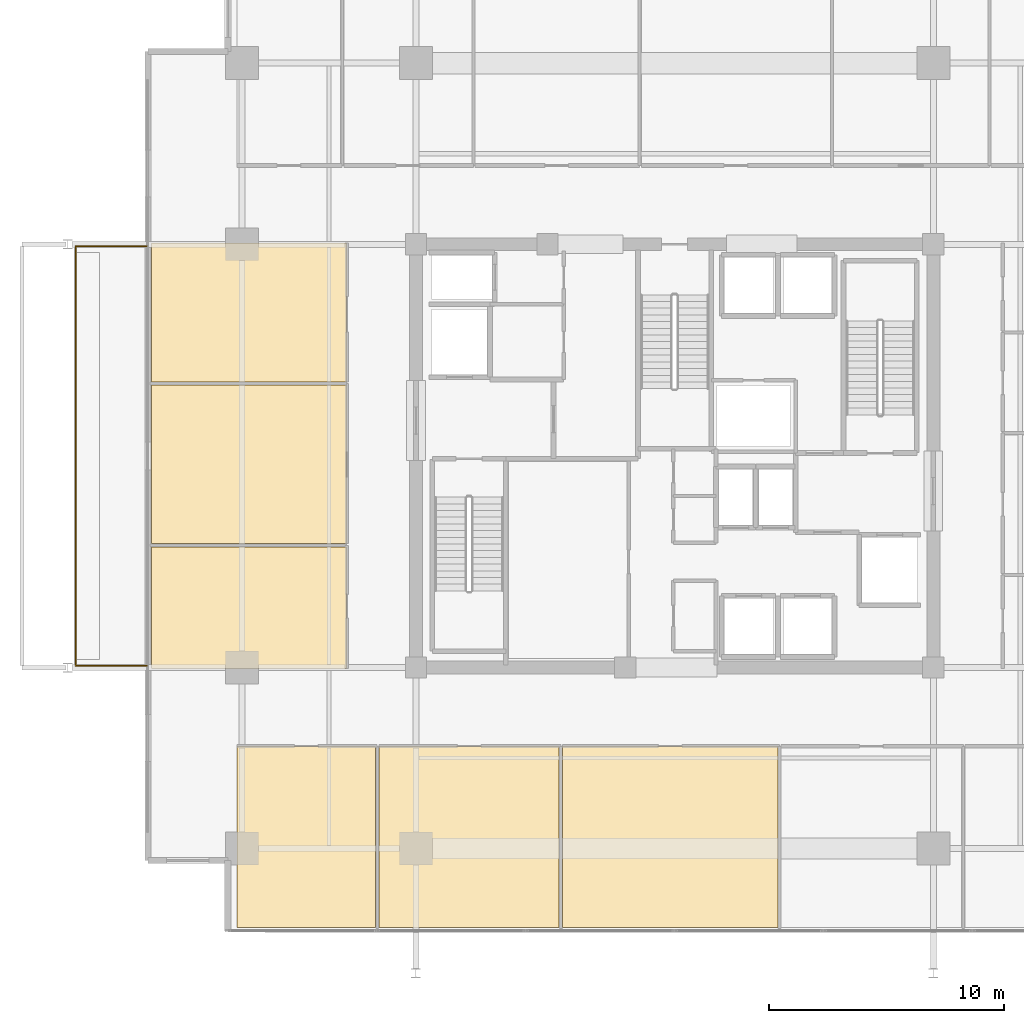
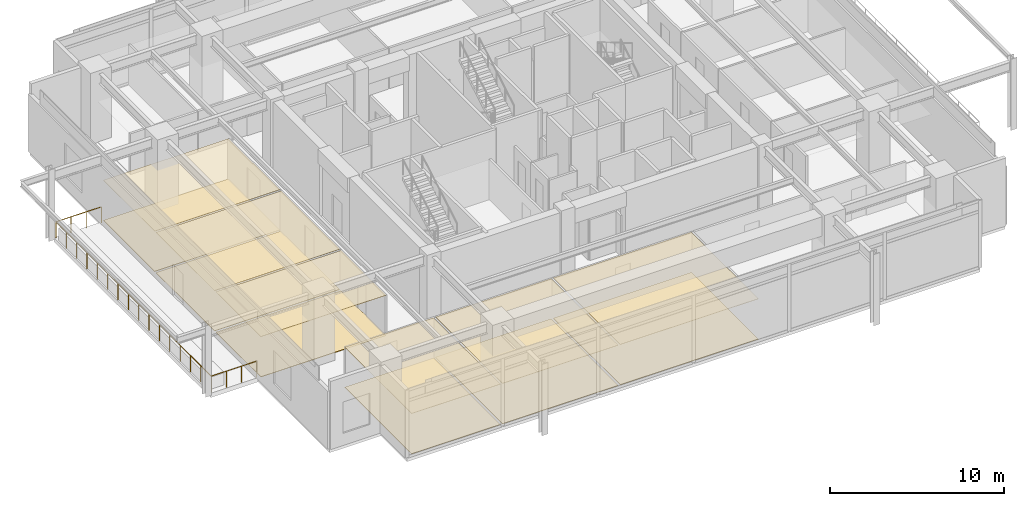
# One storey, part 16 of 19: 12 coverings, 1 railing.
"""IFC4 building model written with IfcOpenShell, lengths in metres."""

from ifc_helpers import new_model, si_unit, direction, frame, origin, origin_2d, place, context, subcontext, project, spatial, polyline, circle, outline, extrude, material, layer, layer_set, type_object, element, save


model = new_model("IFC4")

# Units and contexts
model_context = context("Model", 3, precision=1e-05, world=origin(), true_north=direction((0.0, 1.0)))
body_context = subcontext(model_context, "Body", "Model", "MODEL_VIEW")
ifc_project = project(units=[si_unit("LENGTHUNIT", "METRE"), si_unit("AREAUNIT", "SQUARE_METRE"), si_unit("VOLUMEUNIT", "CUBIC_METRE"), si_unit("PLANEANGLEUNIT", "RADIAN"), si_unit("MASSUNIT", "GRAM", prefix="KILO")], contexts=[model_context])

# Site, building, storey
site_placement = place(None, origin())
site = spatial("IfcSite", under=ifc_project, at=site_placement, CompositionType="ELEMENT")
building_placement = place(site_placement, origin())
building = spatial("IfcBuilding", under=site, at=building_placement, Name="Kovane Verandah Tower", CompositionType="ELEMENT")
storey_placement = place(building_placement, frame((0.0, 0.0, 200.199951171875)))
storey = spatial("IfcBuildingStorey", under=building, at=storey_placement, Name="L46", CompositionType="ELEMENT", Elevation=200.199951171875)

# Coverings
ifc_material_1 = material(Name="Perforated Acoustic Mineral-Fibre Ceiling Tile", Category="gypsum")
ifc_layer_1 = layer(ifc_material_1, 0.02490234375)
ifc_layer_set_1 = layer_set([ifc_layer_1], Name="Perforated Acoustic Mineral-Fibre Ceiling Tile")
covering_type_1 = type_object("IfcCoveringType", Name="CV-CEIL-25", PredefinedType="CEILING", material=ifc_layer_set_1)
covering_1_placement = place(storey_placement, frame((0.0, 0.0, 2.824951171875)))
element("IfcCovering", 1, at=covering_1_placement, inside=storey, type_object=covering_type_1, Name="L46 Meeting Room S1 Acoustic Ceiling", PredefinedType="CEILING", context=body_context, shape_type="SweptSolid", body=[
    extrude(outline(polyline([(21.39990234375, 7.449951171875), (27.281982421875, 7.449951171875), (27.281982421875, 15.14990234375), (21.39990234375, 15.14990234375), (21.39990234375, 7.449951171875)])), origin(), (0.0, 0.0, 1.0), 0.025146484375),
])
covering_2_placement = place(storey_placement, frame((0.0, 0.0, 2.824951171875)))
element("IfcCovering", 2, at=covering_2_placement, inside=storey, type_object=covering_type_1, Name="L46 Focus Studio S2 Acoustic Ceiling", PredefinedType="CEILING", context=body_context, shape_type="SweptSolid", body=[
    extrude(outline(polyline([(27.422119140625, 7.449951171875), (35.093994140625, 7.449951171875), (35.093994140625, 15.14990234375), (27.422119140625, 15.14990234375), (27.422119140625, 7.449951171875)])), origin(), (0.0, 0.0, 1.0), 0.025146484375),
])
covering_3_placement = place(storey_placement, frame((0.0, 0.0, 2.824951171875)))
element("IfcCovering", 3, at=covering_3_placement, inside=storey, type_object=covering_type_1, Name="L46 Breakout Pantry S3 Acoustic Ceiling", PredefinedType="CEILING", context=body_context, shape_type="SweptSolid", body=[
    extrude(outline(polyline([(35.23388671875, 7.449951171875), (44.39404296875, 7.449951171875), (44.39404296875, 15.14990234375), (35.23388671875, 15.14990234375), (35.23388671875, 7.449951171875)])), origin(), (0.0, 0.0, 1.0), 0.025146484375),
])
covering_4_placement = place(storey_placement, frame((0.0, 0.0, 2.824951171875)))
element("IfcCovering", 4, at=covering_4_placement, inside=storey, type_object=covering_type_1, Name="L46 Open Plan Office W1 Acoustic Ceiling", PredefinedType="CEILING", context=body_context, shape_type="SweptSolid", body=[
    extrude(outline(polyline([(17.75, 18.449951171875), (26.050048828125, 18.449951171875), (26.050048828125, 23.62890625), (17.75, 23.62890625), (17.75, 18.449951171875)])), origin(), (0.0, 0.0, 1.0), 0.025146484375),
])
covering_5_placement = place(storey_placement, frame((0.0, 0.0, 2.824951171875)))
element("IfcCovering", 5, at=covering_5_placement, inside=storey, type_object=covering_type_1, Name="L46 Executive Office W2 Acoustic Ceiling", PredefinedType="CEILING", context=body_context, shape_type="SweptSolid", body=[
    extrude(outline(polyline([(17.75, 23.76904296875), (26.050048828125, 23.76904296875), (26.050048828125, 30.507080078125), (17.75, 30.507080078125), (17.75, 23.76904296875)])), origin(), (0.0, 0.0, 1.0), 0.025146484375),
])
covering_6_placement = place(storey_placement, frame((0.0, 0.0, 2.824951171875)))
element("IfcCovering", 6, at=covering_6_placement, inside=storey, type_object=covering_type_1, Name="L46 Client Boardroom W3 Acoustic Ceiling", PredefinedType="CEILING", context=body_context, shape_type="SweptSolid", body=[
    extrude(outline(polyline([(17.75, 30.64697265625), (26.050048828125, 30.64697265625), (26.050048828125, 36.550048828125), (17.75, 36.550048828125), (17.75, 30.64697265625)])), origin(), (0.0, 0.0, 1.0), 0.025146484375),
])
ifc_material_2 = material(Name="Polished Terrazzo and Raised-Access Carpet Tile Finish", Category="concrete")
ifc_layer_2 = layer(ifc_material_2, 0.030029296875)
ifc_layer_set_2 = layer_set([ifc_layer_2], Name="Polished Terrazzo and Raised-Access Carpet Tile Finish")
covering_type_2 = type_object("IfcCoveringType", Name="CV-FLOR-30", PredefinedType="FLOORING", material=ifc_layer_set_2)
covering_7_placement = place(storey_placement, origin())
element("IfcCovering", 7, at=covering_7_placement, inside=storey, type_object=covering_type_2, Name="L46 Meeting Room S1 Floor Finish", PredefinedType="FLOORING", context=body_context, shape_type="SweptSolid", body=[
    extrude(outline(polyline([(21.39990234375, 7.449951171875), (27.281982421875, 7.449951171875), (27.281982421875, 15.14990234375), (21.39990234375, 15.14990234375), (21.39990234375, 7.449951171875)])), origin(), (0.0, 0.0, 1.0), 0.030029296875),
])
covering_8_placement = place(storey_placement, origin())
element("IfcCovering", 8, at=covering_8_placement, inside=storey, type_object=covering_type_2, Name="L46 Focus Studio S2 Floor Finish", PredefinedType="FLOORING", context=body_context, shape_type="SweptSolid", body=[
    extrude(outline(polyline([(27.422119140625, 7.449951171875), (35.093994140625, 7.449951171875), (35.093994140625, 15.14990234375), (27.422119140625, 15.14990234375), (27.422119140625, 7.449951171875)])), origin(), (0.0, 0.0, 1.0), 0.030029296875),
])
covering_9_placement = place(storey_placement, origin())
element("IfcCovering", 9, at=covering_9_placement, inside=storey, type_object=covering_type_2, Name="L46 Breakout Pantry S3 Floor Finish", PredefinedType="FLOORING", context=body_context, shape_type="SweptSolid", body=[
    extrude(outline(polyline([(35.23388671875, 7.449951171875), (44.39404296875, 7.449951171875), (44.39404296875, 15.14990234375), (35.23388671875, 15.14990234375), (35.23388671875, 7.449951171875)])), origin(), (0.0, 0.0, 1.0), 0.030029296875),
])
covering_10_placement = place(storey_placement, origin())
element("IfcCovering", 10, at=covering_10_placement, inside=storey, type_object=covering_type_2, Name="L46 Open Plan Office W1 Floor Finish", PredefinedType="FLOORING", context=body_context, shape_type="SweptSolid", body=[
    extrude(outline(polyline([(17.75, 18.449951171875), (26.050048828125, 18.449951171875), (26.050048828125, 23.62890625), (17.75, 23.62890625), (17.75, 18.449951171875)])), origin(), (0.0, 0.0, 1.0), 0.030029296875),
])
covering_11_placement = place(storey_placement, origin())
element("IfcCovering", 11, at=covering_11_placement, inside=storey, type_object=covering_type_2, Name="L46 Executive Office W2 Floor Finish", PredefinedType="FLOORING", context=body_context, shape_type="SweptSolid", body=[
    extrude(outline(polyline([(17.75, 23.76904296875), (26.050048828125, 23.76904296875), (26.050048828125, 30.507080078125), (17.75, 30.507080078125), (17.75, 23.76904296875)])), origin(), (0.0, 0.0, 1.0), 0.030029296875),
])
covering_12_placement = place(storey_placement, origin())
element("IfcCovering", 12, at=covering_12_placement, inside=storey, type_object=covering_type_2, Name="L46 Client Boardroom W3 Floor Finish", PredefinedType="FLOORING", context=body_context, shape_type="SweptSolid", body=[
    extrude(outline(polyline([(17.75, 30.64697265625), (26.050048828125, 30.64697265625), (26.050048828125, 36.550048828125), (17.75, 36.550048828125), (17.75, 30.64697265625)])), origin(), (0.0, 0.0, 1.0), 0.030029296875),
])

# Railing
ifc_material_3 = material(Name="Laminated Glass and Pale-Champagne Stainless Balustrade", Category="glass")
railing_type = type_object("IfcRailingType", Name="RL-BAL-1150", PredefinedType="BALUSTRADE", material=ifc_material_3)
railing_placement = place(storey_placement, frame((17.550048828125, 18.580078125, 0.0)))
element("IfcRailing", 13, at=railing_placement, inside=storey, type_object=railing_type, Name="L46 W Verandah Glass Balustrade", PredefinedType="BALUSTRADE", context=body_context, shape_type="SweptSolid", body=[
    extrude(circle(Radius=0.02392578125, at=origin_2d()), frame((0.0, 0.0, 1.1259765625), z_axis=(-1.0, 0.0, 0.0), x_axis=(0.0, -1.0, 0.0)), (0.0, 0.0, 1.0), 3.02001953125),
    extrude(circle(Radius=0.02392578125, at=origin_2d()), frame((-3.02001953125, 0.0, 1.1259765625), z_axis=(0.0, 1.0, 0.0), x_axis=(-1.0, 0.0, 0.0)), (0.0, 0.0, 1.0), 17.83984375),
    extrude(circle(Radius=0.02392578125, at=origin_2d()), frame((-3.02001953125, 17.83984375, 1.1259765625), z_axis=(1.0, 0.0, 0.0), x_axis=(0.0, 1.0, 0.0)), (0.0, 0.0, 1.0), 3.02001953125),
    extrude(circle(Radius=0.02099609375, at=origin_2d()), origin(), (0.0, 0.0, 1.0), 1.101806640625),
    extrude(circle(Radius=0.02099609375, at=origin_2d()), frame((-1.006591796875, 0.0, 0.0)), (0.0, 0.0, 1.0), 1.101806640625),
    extrude(circle(Radius=0.02099609375, at=origin_2d()), frame((-2.013427734375, 0.0, 0.0)), (0.0, 0.0, 1.0), 1.101806640625),
    extrude(circle(Radius=0.02099609375, at=origin_2d()), frame((-3.02001953125, 0.0, 0.0)), (0.0, 0.0, 1.0), 1.101806640625),
    extrude(circle(Radius=0.02099609375, at=origin_2d()), frame((-3.02001953125, 1.189208984375, 0.0)), (0.0, 0.0, 1.0), 1.101806640625),
    extrude(circle(Radius=0.02099609375, at=origin_2d()), frame((-3.02001953125, 2.378662109375, 0.0)), (0.0, 0.0, 1.0), 1.101806640625),
    extrude(circle(Radius=0.02099609375, at=origin_2d()), frame((-3.02001953125, 3.56787109375, 0.0)), (0.0, 0.0, 1.0), 1.101806640625),
    extrude(circle(Radius=0.02099609375, at=origin_2d()), frame((-3.02001953125, 4.75732421875, 0.0)), (0.0, 0.0, 1.0), 1.101806640625),
    extrude(circle(Radius=0.02099609375, at=origin_2d()), frame((-3.02001953125, 5.946533203125, 0.0)), (0.0, 0.0, 1.0), 1.101806640625),
    extrude(circle(Radius=0.02099609375, at=origin_2d()), frame((-3.02001953125, 7.135986328125, 0.0)), (0.0, 0.0, 1.0), 1.101806640625),
    extrude(circle(Radius=0.02099609375, at=origin_2d()), frame((-3.02001953125, 8.3251953125, 0.0)), (0.0, 0.0, 1.0), 1.101806640625),
    extrude(circle(Radius=0.02099609375, at=origin_2d()), frame((-3.02001953125, 9.5146484375, 0.0)), (0.0, 0.0, 1.0), 1.101806640625),
    extrude(circle(Radius=0.02099609375, at=origin_2d()), frame((-3.02001953125, 10.703857421875, 0.0)), (0.0, 0.0, 1.0), 1.101806640625),
    extrude(circle(Radius=0.02099609375, at=origin_2d()), frame((-3.02001953125, 11.893310546875, 0.0)), (0.0, 0.0, 1.0), 1.101806640625),
    extrude(circle(Radius=0.02099609375, at=origin_2d()), frame((-3.02001953125, 13.08251953125, 0.0)), (0.0, 0.0, 1.0), 1.101806640625),
    extrude(circle(Radius=0.02099609375, at=origin_2d()), frame((-3.02001953125, 14.27197265625, 0.0)), (0.0, 0.0, 1.0), 1.101806640625),
    extrude(circle(Radius=0.02099609375, at=origin_2d()), frame((-3.02001953125, 15.461181640625, 0.0)), (0.0, 0.0, 1.0), 1.101806640625),
    extrude(circle(Radius=0.02099609375, at=origin_2d()), frame((-3.02001953125, 16.650634765625, 0.0)), (0.0, 0.0, 1.0), 1.101806640625),
    extrude(circle(Radius=0.02099609375, at=origin_2d()), frame((-3.02001953125, 17.83984375, 0.0)), (0.0, 0.0, 1.0), 1.101806640625),
    extrude(circle(Radius=0.02099609375, at=origin_2d()), frame((-2.013427734375, 17.83984375, 0.0)), (0.0, 0.0, 1.0), 1.101806640625),
    extrude(circle(Radius=0.02099609375, at=origin_2d()), frame((-1.006591796875, 17.83984375, 0.0)), (0.0, 0.0, 1.0), 1.101806640625),
    extrude(circle(Radius=0.02099609375, at=origin_2d()), frame((0.0, 17.83984375, 0.0)), (0.0, 0.0, 1.0), 1.101806640625),
])

save(model, "model.ifc")
